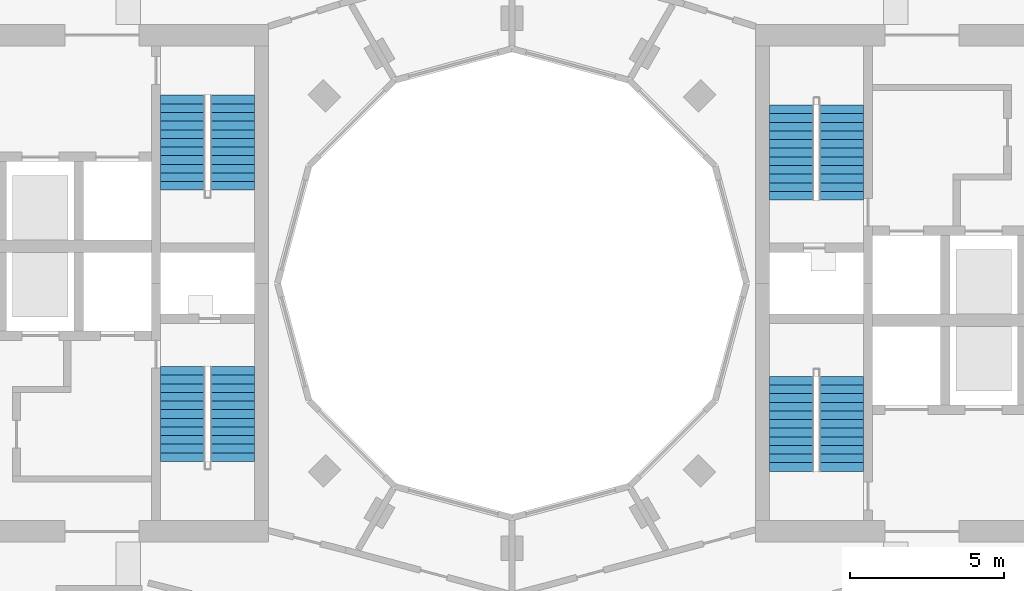
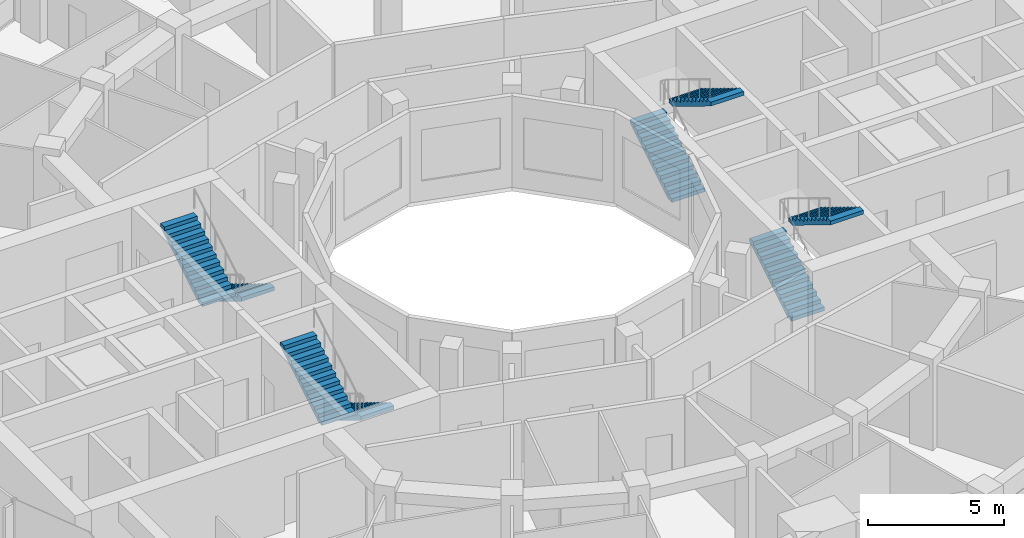
# One storey, part 13 of 15: 8 stair flights, 4 elements without a shape of their own.
"""IFC4 building model written with IfcOpenShell, lengths in metres."""

from ifc_helpers import new_model, si_unit, direction, frame, origin, place, context, subcontext, project, spatial, polyline, outline, extrude, material, layer, layer_set, type_object, element, aggregate, save


model = new_model("IFC4")

# Units and contexts
model_context = context("Model", 3, precision=1e-05, world=origin(), true_north=direction((0.0, 1.0)))
body_context = subcontext(model_context, "Body", "Model", "MODEL_VIEW")
ifc_project = project(units=[si_unit("LENGTHUNIT", "METRE"), si_unit("AREAUNIT", "SQUARE_METRE"), si_unit("VOLUMEUNIT", "CUBIC_METRE"), si_unit("PLANEANGLEUNIT", "RADIAN"), si_unit("MASSUNIT", "GRAM", prefix="KILO")], contexts=[model_context])

# Site, building, storey
site_placement = place(None, origin())
site = spatial("IfcSite", under=ifc_project, at=site_placement, CompositionType="ELEMENT")
building_placement = place(site_placement, origin())
building = spatial("IfcBuilding", under=site, at=building_placement, Name="Torre Brocal", CompositionType="ELEMENT")
storey_placement = place(building_placement, frame((0.0, 0.0, 165.89990234375)))
storey = spatial("IfcBuildingStorey", under=building, at=storey_placement, Name="L38", CompositionType="ELEMENT", Elevation=165.89990234375)

# Stair, stair flights
ifc_material_1 = material(Name="Concrete C50", Category="concrete")
stair_type = type_object("IfcStairType", Name="EXIT STAIR", PredefinedType="HALF_TURN_STAIR", material=ifc_material_1)
stair_1_placement = place(storey_placement, origin())
stair_1 = element("IfcStair", 1, at=stair_1_placement, inside=storey, type_object=stair_type, Name="EXIT STAIR ST1", PredefinedType="HALF_TURN_STAIR")
ifc_material_2 = material(Name="Concrete C50", Category="concrete")
ifc_layer = layer(ifc_material_2, 0.14990234375)
ifc_layer_set = layer_set([ifc_layer], Name="Concrete C50")
stair_flight_type = type_object("IfcStairFlightType", Name="STAIR FLIGHT", PredefinedType="STRAIGHT", material=ifc_layer_set)
stair_flight_1_placement = place(storey_placement, frame((89.050048828125, 77.699951171875, 0.0), z_axis=(0.0, 0.0, 1.0), x_axis=(0.0, 1.0, 0.0)))
stair_flight_1 = element("IfcStairFlight", 2, at=stair_flight_1_placement, type_object=stair_flight_type, Name="ST1 flight 1", NumberOfRisers=12, NumberOfTreads=11, PredefinedType="STRAIGHT", RiserHeight=0.170833333, TreadLength=0.28, context=body_context, shape_type="SweptSolid", body=[
    extrude(outline(polyline([(0.0, 0.0), (0.0, 0.1708984375), (0.280029296875, 0.1708984375), (0.280029296875, 0.341552734375), (0.56005859375, 0.341552734375), (0.56005859375, 0.512451171875), (0.840087890625, 0.512451171875), (0.840087890625, 0.683349609375), (1.1201171875, 0.683349609375), (1.1201171875, 0.854248046875), (1.39990234375, 0.854248046875), (1.39990234375, 1.02490234375), (1.679931640625, 1.02490234375), (1.679931640625, 1.19580078125), (1.9599609375, 1.19580078125), (1.9599609375, 1.36669921875), (2.239990234375, 1.36669921875), (2.239990234375, 1.53759765625), (2.52001953125, 1.53759765625), (2.52001953125, 1.708251953125), (2.800048828125, 1.708251953125), (2.800048828125, 1.879150390625), (3.080078125, 1.879150390625), (3.080078125, 2.050048828125), (3.080078125, 1.70361328125), (0.287841796875, 0.0), (0.0, 0.0)])), frame((0.0, 0.699951171875, 0.0), z_axis=(0.0, -1.0, 0.0), x_axis=(1.0, 0.0, 0.0)), (0.0, 0.0, 1.0), 1.39990234375),
])
stair_flight_2_placement = place(storey_placement, frame((90.699951171875, 80.780029296875, 2.050048828125), z_axis=(0.0, 0.0, 1.0), x_axis=(0.0, -1.0, 0.0)))
stair_flight_2 = element("IfcStairFlight", 3, at=stair_flight_2_placement, type_object=stair_flight_type, Name="ST1 flight 2", NumberOfRisers=12, NumberOfTreads=11, PredefinedType="STRAIGHT", RiserHeight=0.170833333, TreadLength=0.28, context=body_context, shape_type="SweptSolid", body=[
    extrude(outline(polyline([(0.0, 0.0), (0.0, 0.1708984375), (0.280029296875, 0.1708984375), (0.280029296875, 0.341552734375), (0.56005859375, 0.341552734375), (0.56005859375, 0.512451171875), (0.840087890625, 0.512451171875), (0.840087890625, 0.683349609375), (1.1201171875, 0.683349609375), (1.1201171875, 0.854248046875), (1.39990234375, 0.854248046875), (1.39990234375, 1.02490234375), (1.679931640625, 1.02490234375), (1.679931640625, 1.19580078125), (1.9599609375, 1.19580078125), (1.9599609375, 1.36669921875), (2.239990234375, 1.36669921875), (2.239990234375, 1.53759765625), (2.52001953125, 1.53759765625), (2.52001953125, 1.708251953125), (2.800048828125, 1.708251953125), (2.800048828125, 1.879150390625), (3.080078125, 1.879150390625), (3.080078125, 2.050048828125), (3.080078125, 1.70361328125), (0.287841796875, 0.0), (0.0, 0.0)])), frame((0.0, 0.699951171875, 0.0), z_axis=(0.0, -1.0, 0.0), x_axis=(1.0, 0.0, 0.0)), (0.0, 0.0, 1.0), 1.39990234375),
])
aggregate(stair_1, [stair_flight_1, stair_flight_2])

stair_2_placement = place(storey_placement, origin())
stair_2 = element("IfcStair", 4, at=stair_2_placement, inside=storey, type_object=stair_type, Name="EXIT STAIR ST2", PredefinedType="HALF_TURN_STAIR")
stair_flight_3_placement = place(storey_placement, frame((89.050048828125, 68.89990234375, 0.0), z_axis=(0.0, 0.0, 1.0), x_axis=(0.0, 1.0, 0.0)))
stair_flight_3 = element("IfcStairFlight", 5, at=stair_flight_3_placement, type_object=stair_flight_type, Name="ST2 flight 1", NumberOfRisers=12, NumberOfTreads=11, PredefinedType="STRAIGHT", RiserHeight=0.170833333, TreadLength=0.28, context=body_context, shape_type="SweptSolid", body=[
    extrude(outline(polyline([(0.0, 0.0), (0.0, 0.1708984375), (0.280029296875, 0.1708984375), (0.280029296875, 0.341552734375), (0.56005859375, 0.341552734375), (0.56005859375, 0.512451171875), (0.840087890625, 0.512451171875), (0.840087890625, 0.683349609375), (1.1201171875, 0.683349609375), (1.1201171875, 0.854248046875), (1.39990234375, 0.854248046875), (1.39990234375, 1.02490234375), (1.679931640625, 1.02490234375), (1.679931640625, 1.19580078125), (1.9599609375, 1.19580078125), (1.9599609375, 1.36669921875), (2.239990234375, 1.36669921875), (2.239990234375, 1.53759765625), (2.52001953125, 1.53759765625), (2.52001953125, 1.708251953125), (2.800048828125, 1.708251953125), (2.800048828125, 1.879150390625), (3.080078125, 1.879150390625), (3.080078125, 2.050048828125), (3.080078125, 1.70361328125), (0.287841796875, 0.0), (0.0, 0.0)])), frame((0.0, 0.699951171875, 0.0), z_axis=(0.0, -1.0, 0.0), x_axis=(1.0, 0.0, 0.0)), (0.0, 0.0, 1.0), 1.39990234375),
])
stair_flight_4_placement = place(storey_placement, frame((90.699951171875, 71.97998046875, 2.050048828125), z_axis=(0.0, 0.0, 1.0), x_axis=(0.0, -1.0, 0.0)))
stair_flight_4 = element("IfcStairFlight", 6, at=stair_flight_4_placement, type_object=stair_flight_type, Name="ST2 flight 2", NumberOfRisers=12, NumberOfTreads=11, PredefinedType="STRAIGHT", RiserHeight=0.170833333, TreadLength=0.28, context=body_context, shape_type="SweptSolid", body=[
    extrude(outline(polyline([(0.0, 0.0), (0.0, 0.1708984375), (0.280029296875, 0.1708984375), (0.280029296875, 0.341552734375), (0.56005859375, 0.341552734375), (0.56005859375, 0.512451171875), (0.840087890625, 0.512451171875), (0.840087890625, 0.683349609375), (1.1201171875, 0.683349609375), (1.1201171875, 0.854248046875), (1.39990234375, 0.854248046875), (1.39990234375, 1.02490234375), (1.679931640625, 1.02490234375), (1.679931640625, 1.19580078125), (1.9599609375, 1.19580078125), (1.9599609375, 1.36669921875), (2.239990234375, 1.36669921875), (2.239990234375, 1.53759765625), (2.52001953125, 1.53759765625), (2.52001953125, 1.708251953125), (2.800048828125, 1.708251953125), (2.800048828125, 1.879150390625), (3.080078125, 1.879150390625), (3.080078125, 2.050048828125), (3.080078125, 1.70361328125), (0.287841796875, 0.0), (0.0, 0.0)])), frame((0.0, 0.699951171875, 0.0), z_axis=(0.0, -1.0, 0.0), x_axis=(1.0, 0.0, 0.0)), (0.0, 0.0, 1.0), 1.39990234375),
])
aggregate(stair_2, [stair_flight_3, stair_flight_4])

stair_3_placement = place(storey_placement, origin())
stair_3 = element("IfcStair", 7, at=stair_3_placement, inside=storey, type_object=stair_type, Name="EXIT STAIR ST3", PredefinedType="HALF_TURN_STAIR")
stair_flight_5_placement = place(storey_placement, frame((70.949951171875, 72.300048828125, 0.0), z_axis=(0.0, 0.0, 1.0), x_axis=(0.0, -1.0, 0.0)))
stair_flight_5 = element("IfcStairFlight", 8, at=stair_flight_5_placement, type_object=stair_flight_type, Name="ST3 flight 1", NumberOfRisers=12, NumberOfTreads=11, PredefinedType="STRAIGHT", RiserHeight=0.170833333, TreadLength=0.28, context=body_context, shape_type="SweptSolid", body=[
    extrude(outline(polyline([(0.0, 0.0), (0.0, 0.1708984375), (0.280029296875, 0.1708984375), (0.280029296875, 0.341552734375), (0.56005859375, 0.341552734375), (0.56005859375, 0.512451171875), (0.840087890625, 0.512451171875), (0.840087890625, 0.683349609375), (1.1201171875, 0.683349609375), (1.1201171875, 0.854248046875), (1.39990234375, 0.854248046875), (1.39990234375, 1.02490234375), (1.679931640625, 1.02490234375), (1.679931640625, 1.19580078125), (1.9599609375, 1.19580078125), (1.9599609375, 1.36669921875), (2.239990234375, 1.36669921875), (2.239990234375, 1.53759765625), (2.52001953125, 1.53759765625), (2.52001953125, 1.708251953125), (2.800048828125, 1.708251953125), (2.800048828125, 1.879150390625), (3.080078125, 1.879150390625), (3.080078125, 2.050048828125), (3.080078125, 1.70361328125), (0.287841796875, 0.0), (0.0, 0.0)])), frame((0.0, 0.699951171875, 0.0), z_axis=(0.0, -1.0, 0.0), x_axis=(1.0, 0.0, 0.0)), (0.0, 0.0, 1.0), 1.39990234375),
])
stair_flight_6_placement = place(storey_placement, frame((69.300048828125, 69.219970703125, 2.050048828125), z_axis=(0.0, 0.0, 1.0), x_axis=(0.0, 1.0, 0.0)))
stair_flight_6 = element("IfcStairFlight", 9, at=stair_flight_6_placement, type_object=stair_flight_type, Name="ST3 flight 2", NumberOfRisers=12, NumberOfTreads=11, PredefinedType="STRAIGHT", RiserHeight=0.170833333, TreadLength=0.28, context=body_context, shape_type="SweptSolid", body=[
    extrude(outline(polyline([(0.0, 0.0), (0.0, 0.1708984375), (0.280029296875, 0.1708984375), (0.280029296875, 0.341552734375), (0.56005859375, 0.341552734375), (0.56005859375, 0.512451171875), (0.840087890625, 0.512451171875), (0.840087890625, 0.683349609375), (1.1201171875, 0.683349609375), (1.1201171875, 0.854248046875), (1.39990234375, 0.854248046875), (1.39990234375, 1.02490234375), (1.679931640625, 1.02490234375), (1.679931640625, 1.19580078125), (1.9599609375, 1.19580078125), (1.9599609375, 1.36669921875), (2.239990234375, 1.36669921875), (2.239990234375, 1.53759765625), (2.52001953125, 1.53759765625), (2.52001953125, 1.708251953125), (2.800048828125, 1.708251953125), (2.800048828125, 1.879150390625), (3.080078125, 1.879150390625), (3.080078125, 2.050048828125), (3.080078125, 1.70361328125), (0.287841796875, 0.0), (0.0, 0.0)])), frame((0.0, 0.699951171875, 0.0), z_axis=(0.0, -1.0, 0.0), x_axis=(1.0, 0.0, 0.0)), (0.0, 0.0, 1.0), 1.39990234375),
])
aggregate(stair_3, [stair_flight_5, stair_flight_6])

stair_4_placement = place(storey_placement, origin())
stair_4 = element("IfcStair", 10, at=stair_4_placement, inside=storey, type_object=stair_type, Name="EXIT STAIR ST4", PredefinedType="HALF_TURN_STAIR")
stair_flight_7_placement = place(storey_placement, frame((70.949951171875, 81.10009765625, 0.0), z_axis=(0.0, 0.0, 1.0), x_axis=(0.0, -1.0, 0.0)))
stair_flight_7 = element("IfcStairFlight", 11, at=stair_flight_7_placement, type_object=stair_flight_type, Name="ST4 flight 1", NumberOfRisers=12, NumberOfTreads=11, PredefinedType="STRAIGHT", RiserHeight=0.170833333, TreadLength=0.28, context=body_context, shape_type="SweptSolid", body=[
    extrude(outline(polyline([(0.0, 0.0), (0.0, 0.1708984375), (0.280029296875, 0.1708984375), (0.280029296875, 0.341552734375), (0.56005859375, 0.341552734375), (0.56005859375, 0.512451171875), (0.840087890625, 0.512451171875), (0.840087890625, 0.683349609375), (1.1201171875, 0.683349609375), (1.1201171875, 0.854248046875), (1.39990234375, 0.854248046875), (1.39990234375, 1.02490234375), (1.679931640625, 1.02490234375), (1.679931640625, 1.19580078125), (1.9599609375, 1.19580078125), (1.9599609375, 1.36669921875), (2.239990234375, 1.36669921875), (2.239990234375, 1.53759765625), (2.52001953125, 1.53759765625), (2.52001953125, 1.708251953125), (2.800048828125, 1.708251953125), (2.800048828125, 1.879150390625), (3.080078125, 1.879150390625), (3.080078125, 2.050048828125), (3.080078125, 1.70361328125), (0.287841796875, 0.0), (0.0, 0.0)])), frame((0.0, 0.699951171875, 0.0), z_axis=(0.0, -1.0, 0.0), x_axis=(1.0, 0.0, 0.0)), (0.0, 0.0, 1.0), 1.39990234375),
])
stair_flight_8_placement = place(storey_placement, frame((69.300048828125, 78.02001953125, 2.050048828125), z_axis=(0.0, 0.0, 1.0), x_axis=(0.0, 1.0, 0.0)))
stair_flight_8 = element("IfcStairFlight", 12, at=stair_flight_8_placement, type_object=stair_flight_type, Name="ST4 flight 2", NumberOfRisers=12, NumberOfTreads=11, PredefinedType="STRAIGHT", RiserHeight=0.170833333, TreadLength=0.28, context=body_context, shape_type="SweptSolid", body=[
    extrude(outline(polyline([(0.0, 0.0), (0.0, 0.1708984375), (0.280029296875, 0.1708984375), (0.280029296875, 0.341552734375), (0.56005859375, 0.341552734375), (0.56005859375, 0.512451171875), (0.840087890625, 0.512451171875), (0.840087890625, 0.683349609375), (1.1201171875, 0.683349609375), (1.1201171875, 0.854248046875), (1.39990234375, 0.854248046875), (1.39990234375, 1.02490234375), (1.679931640625, 1.02490234375), (1.679931640625, 1.19580078125), (1.9599609375, 1.19580078125), (1.9599609375, 1.36669921875), (2.239990234375, 1.36669921875), (2.239990234375, 1.53759765625), (2.52001953125, 1.53759765625), (2.52001953125, 1.708251953125), (2.800048828125, 1.708251953125), (2.800048828125, 1.879150390625), (3.080078125, 1.879150390625), (3.080078125, 2.050048828125), (3.080078125, 1.70361328125), (0.287841796875, 0.0), (0.0, 0.0)])), frame((0.0, 0.699951171875, 0.0), z_axis=(0.0, -1.0, 0.0), x_axis=(1.0, 0.0, 0.0)), (0.0, 0.0, 1.0), 1.39990234375),
])
aggregate(stair_4, [stair_flight_7, stair_flight_8])

save(model, "model.ifc")
